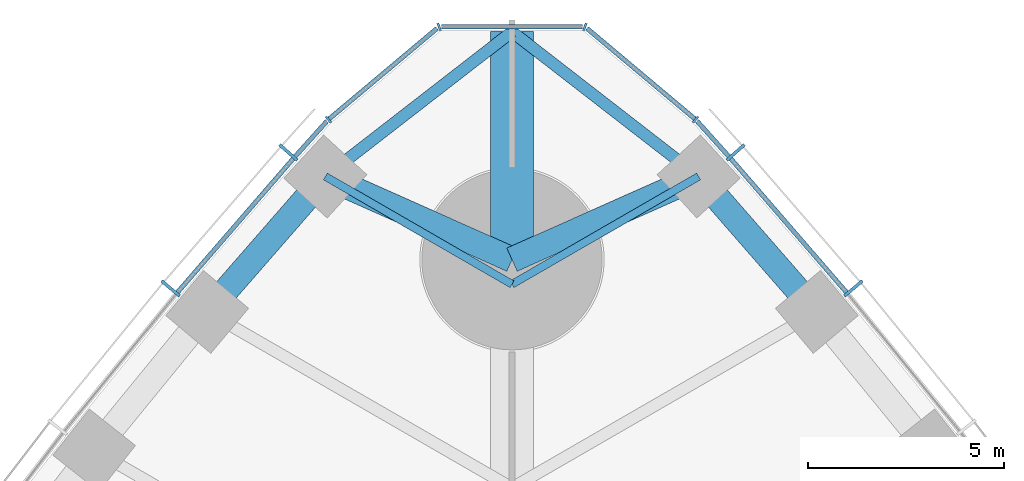
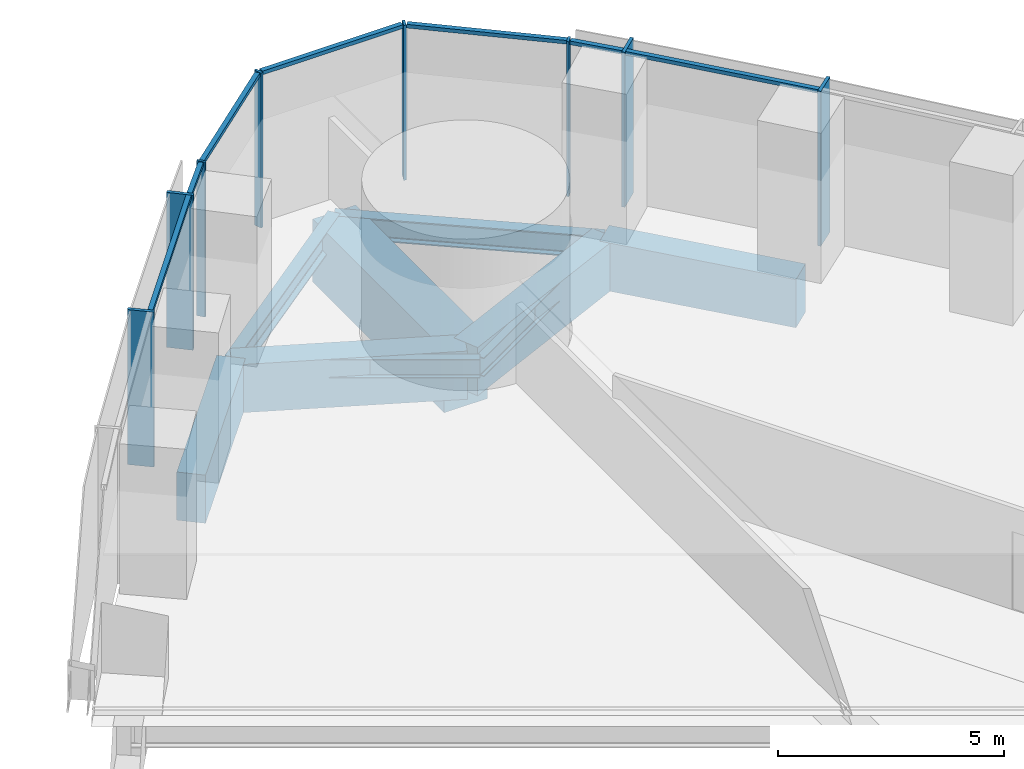
# One storey, part 7 of 18: 15 members, 9 beams, 3 elements without a shape of their own.
"""IFC4 building model written with IfcOpenShell, lengths in metres."""

from ifc_helpers import new_model, si_unit, direction, frame, origin, origin_2d, place, context, subcontext, project, spatial, rectangle, i_section, extrude, material, material_profile, profile_set, type_object, element, aggregate, save


model = new_model("IFC4")

# Units and contexts
model_context = context("Model", 3, precision=1e-05, world=origin(), true_north=direction((0.0, 1.0)))
body_context = subcontext(model_context, "Body", "Model", "MODEL_VIEW")
ifc_project = project(units=[si_unit("LENGTHUNIT", "METRE"), si_unit("AREAUNIT", "SQUARE_METRE"), si_unit("VOLUMEUNIT", "CUBIC_METRE"), si_unit("PLANEANGLEUNIT", "RADIAN"), si_unit("MASSUNIT", "GRAM", prefix="KILO")], contexts=[model_context])

# Site, building, storey
site_placement = place(None, origin())
site = spatial("IfcSite", under=ifc_project, at=site_placement, CompositionType="ELEMENT")
building_placement = place(site_placement, origin())
building = spatial("IfcBuilding", under=site, at=building_placement, Name="Trefoil Bronze Tower", CompositionType="ELEMENT")
storey_placement = place(building_placement, frame((0.0, 0.0, 41.699951171875)))
storey = spatial("IfcBuildingStorey", under=building, at=storey_placement, Name="L09", CompositionType="ELEMENT", Elevation=41.699951171875)

# Curtain wall, members
ifc_material_1 = material(Name="Tinted solar-control glass", Category="glass")
curtain_wall_type_1 = type_object("IfcCurtainWallType", Name="Bronze office curtain wall", PredefinedType="USERDEFINED", material=ifc_material_1)
curtain_wall_1_placement = place(storey_placement, origin())
curtain_wall_1 = element("IfcCurtainWall", 1, at=curtain_wall_1_placement, inside=storey, type_object=curtain_wall_type_1, Name="CW-A L09 F2", ObjectType="CURTAIN WALL", PredefinedType="USERDEFINED")
ifc_material_2 = material(Name="Bronze-finish aluminium", Category="aluminium")
ifc_material_profile_1 = material_profile(ifc_material_2, rectangle(XDim=0.60009765625, YDim=0.080078125, at=origin_2d()), Name="CW-A mullion")
ifc_profile_set_1 = profile_set([ifc_material_profile_1], Name="Bronze-finish aluminium")
member_type_1 = type_object("IfcMemberType", Name="Bronze office curtain wall mullion", PredefinedType="MULLION", material=ifc_profile_set_1)
member_1_placement = place(storey_placement, frame((8.709716796875, 36.265869140625, 0.0), z_axis=(0.0, 0.0, 1.0), x_axis=(-0.765729101889, -0.643163231629, 0.0)))
member_1 = element("IfcMember", 2, at=member_1_placement, type_object=member_type_1, Name="CW-A L09 F2 mullion 15", PredefinedType="MULLION", context=body_context, shape_type="SweptSolid", body=[
    extrude(rectangle(XDim=0.60009765625, YDim=0.080078125, at=origin_2d()), origin(), (0.0, 0.0, 1.0), 4.179931640625),
])
member_2_placement = place(storey_placement, frame((5.70654296875, 39.736328125, 0.0), z_axis=(0.0, 0.0, 1.0), x_axis=(-0.7499405861, -0.661505190698, 0.0)))
member_2 = element("IfcMember", 3, at=member_2_placement, type_object=member_type_1, Name="CW-A L09 F2 mullion 16", PredefinedType="MULLION", context=body_context, shape_type="SweptSolid", body=[
    extrude(rectangle(XDim=0.60009765625, YDim=0.080078125, at=origin_2d()), origin(), (0.0, 0.0, 1.0), 4.179931640625),
])

curtain_wall_2_placement = place(storey_placement, origin())
curtain_wall_2 = element("IfcCurtainWall", 4, at=curtain_wall_2_placement, inside=storey, type_object=curtain_wall_type_1, Name="CW-A L09 F3", ObjectType="CURTAIN WALL", PredefinedType="USERDEFINED")
member_3_placement = place(storey_placement, frame((-5.70654296875, 39.736328125, 0.0), z_axis=(0.0, 0.0, 1.0), x_axis=(0.7499405861, -0.661505190698, 0.0)))
member_3 = element("IfcMember", 5, at=member_3_placement, type_object=member_type_1, Name="CW-A L09 F3 mullion 2", PredefinedType="MULLION", context=body_context, shape_type="SweptSolid", body=[
    extrude(rectangle(XDim=0.60009765625, YDim=0.080078125, at=origin_2d()), origin(), (0.0, 0.0, 1.0), 4.179931640625),
])
member_4_placement = place(storey_placement, frame((-8.709716796875, 36.265869140625, 0.0), z_axis=(0.0, 0.0, 1.0), x_axis=(0.765729101889, -0.643163231629, 0.0)))
member_4 = element("IfcMember", 6, at=member_4_placement, type_object=member_type_1, Name="CW-A L09 F3 mullion 3", PredefinedType="MULLION", context=body_context, shape_type="SweptSolid", body=[
    extrude(rectangle(XDim=0.60009765625, YDim=0.080078125, at=origin_2d()), origin(), (0.0, 0.0, 1.0), 4.179931640625),
])

# Member
ifc_material_3 = material(Name="Bronze-finish aluminium", Category="aluminium")
ifc_material_profile_2 = material_profile(ifc_material_3, rectangle(XDim=0.1201171875, YDim=0.10009765625, at=origin_2d()), Name="CW-A transom")
ifc_profile_set_2 = profile_set([ifc_material_profile_2], Name="Bronze-finish aluminium")
member_type_2 = type_object("IfcMemberType", Name="Bronze office curtain wall transom", PredefinedType="USERDEFINED", material=ifc_profile_set_2)
member_5_placement = place(storey_placement, frame((8.529541015625, 36.16845703125, 4.130126953125), z_axis=(-0.654383303203, 0.75616300656, 0.0), x_axis=(-0.75616300656, -0.654383303203, 0.0)))
member_5 = element("IfcMember", 7, at=member_5_placement, type_object=member_type_2, Name="CW-A L09 F2 transom 15", ObjectType="TRANSOM", PredefinedType="USERDEFINED", context=body_context, shape_type="SweptSolid", body=[
    extrude(rectangle(XDim=0.1201171875, YDim=0.10009765625, at=origin_2d()), origin(), (0.0, 0.0, 1.0), 4.50244140625),
])

member_6_placement = place(storey_placement, frame((5.529052734375, 39.634521484375, 4.130126953125), z_axis=(-0.66858567461, 0.743635122695, 0.0), x_axis=(-0.743635122695, -0.66858567461, 0.0)))
member_6 = element("IfcMember", 8, at=member_6_placement, type_object=member_type_2, Name="CW-A L09 F2 transom 16", ObjectType="TRANSOM", PredefinedType="USERDEFINED", context=body_context, shape_type="SweptSolid", body=[
    extrude(rectangle(XDim=0.1201171875, YDim=0.10009765625, at=origin_2d()), origin(), (0.0, 0.0, 1.0), 1.210205078125),
])

aggregate(curtain_wall_1, [member_1, member_2, member_5, member_6])

member_7_placement = place(storey_placement, frame((-4.719970703125, 40.534423828125, 4.130126953125), z_axis=(-0.66858567461, -0.743635122695, 0.0), x_axis=(0.743635122695, -0.66858567461, 0.0)))
member_7 = element("IfcMember", 9, at=member_7_placement, type_object=member_type_2, Name="CW-A L09 F3 transom 1", ObjectType="TRANSOM", PredefinedType="USERDEFINED", context=body_context, shape_type="SweptSolid", body=[
    extrude(rectangle(XDim=0.1201171875, YDim=0.10009765625, at=origin_2d()), origin(), (0.0, 0.0, 1.0), 1.210205078125),
])

member_8_placement = place(storey_placement, frame((-5.583251953125, 39.572998046875, 4.130126953125), z_axis=(-0.654383303203, -0.75616300656, 0.0), x_axis=(0.75616300656, -0.654383303203, 0.0)))
member_8 = element("IfcMember", 10, at=member_8_placement, type_object=member_type_2, Name="CW-A L09 F3 transom 2", ObjectType="TRANSOM", PredefinedType="USERDEFINED", context=body_context, shape_type="SweptSolid", body=[
    extrude(rectangle(XDim=0.1201171875, YDim=0.10009765625, at=origin_2d()), origin(), (0.0, 0.0, 1.0), 4.50244140625),
])

aggregate(curtain_wall_2, [member_3, member_4, member_7, member_8])

# Curtain wall, members
ifc_material_4 = material(Name="Tinted solar-control glass", Category="glass")
curtain_wall_type_2 = type_object("IfcCurtainWallType", Name="Bronze rounded corner curtain wall", PredefinedType="USERDEFINED", material=ifc_material_4)
curtain_wall_3_placement = place(storey_placement, origin())
curtain_wall_3 = element("IfcCurtainWall", 11, at=curtain_wall_3_placement, inside=storey, type_object=curtain_wall_type_2, Name="CW-B L09 K2", ObjectType="CURTAIN WALL", PredefinedType="USERDEFINED")
ifc_material_5 = material(Name="Bronze-finish aluminium", Category="aluminium")
ifc_material_profile_3 = material_profile(ifc_material_5, rectangle(XDim=0.199951171875, YDim=0.06005859375, at=origin_2d()), Name="CW-B mullion")
ifc_profile_set_3 = profile_set([ifc_material_profile_3], Name="Bronze-finish aluminium")
member_type_3 = type_object("IfcMemberType", Name="Bronze rounded corner curtain wall mullion", PredefinedType="MULLION", material=ifc_profile_set_3)
member_9_placement = place(storey_placement, frame((4.68310546875, 40.573974609375, 0.0), z_axis=(0.0, 0.0, 1.0), x_axis=(-0.642787609687, -0.766044443119, 0.0)))
member_9 = element("IfcMember", 12, at=member_9_placement, type_object=member_type_3, Name="CW-B L09 K2 mullion 1", PredefinedType="MULLION", context=body_context, shape_type="SweptSolid", body=[
    extrude(rectangle(XDim=0.199951171875, YDim=0.06005859375, at=origin_2d()), origin(), (0.0, 0.0, 1.0), 4.179931640625),
])
member_10_placement = place(storey_placement, frame((1.8583984375, 42.9365234375, 0.0), z_axis=(0.0, 0.0, 1.0), x_axis=(-0.342020143326, -0.939692620786, 0.0)))
member_10 = element("IfcMember", 13, at=member_10_placement, type_object=member_type_3, Name="CW-B L09 K2 mullion 2", PredefinedType="MULLION", context=body_context, shape_type="SweptSolid", body=[
    extrude(rectangle(XDim=0.199951171875, YDim=0.06005859375, at=origin_2d()), origin(), (0.0, 0.0, 1.0), 4.179931640625),
])
member_11_placement = place(storey_placement, frame((-1.8583984375, 42.9365234375, 0.0), z_axis=(0.0, 0.0, 1.0), x_axis=(0.342020143326, -0.939692620786, 0.0)))
member_11 = element("IfcMember", 14, at=member_11_placement, type_object=member_type_3, Name="CW-B L09 K2 mullion 3", PredefinedType="MULLION", context=body_context, shape_type="SweptSolid", body=[
    extrude(rectangle(XDim=0.199951171875, YDim=0.06005859375, at=origin_2d()), origin(), (0.0, 0.0, 1.0), 4.179931640625),
])
member_12_placement = place(storey_placement, frame((-4.68310546875, 40.573974609375, 0.0), z_axis=(0.0, 0.0, 1.0), x_axis=(0.642787609687, -0.766044443119, 0.0)))
member_12 = element("IfcMember", 15, at=member_12_placement, type_object=member_type_3, Name="CW-B L09 K2 mullion 4", PredefinedType="MULLION", context=body_context, shape_type="SweptSolid", body=[
    extrude(rectangle(XDim=0.199951171875, YDim=0.06005859375, at=origin_2d()), origin(), (0.0, 0.0, 1.0), 4.179931640625),
])
ifc_material_6 = material(Name="Bronze-finish aluminium", Category="aluminium")
ifc_material_profile_4 = material_profile(ifc_material_6, rectangle(XDim=0.1201171875, YDim=0.10009765625, at=origin_2d()), Name="CW-B transom")
ifc_profile_set_4 = profile_set([ifc_material_profile_4], Name="Bronze-finish aluminium")
member_type_4 = type_object("IfcMemberType", Name="Bronze rounded corner curtain wall transom", PredefinedType="USERDEFINED", material=ifc_profile_set_4)
member_13_placement = place(storey_placement, frame((4.66015625, 40.59326171875, 4.130126953125), z_axis=(-0.766058606238, 0.642770730361, 0.0), x_axis=(-0.642770730361, -0.766058606238, 0.0)))
member_13 = element("IfcMember", 16, at=member_13_placement, type_object=member_type_4, Name="CW-B L09 K2 transom 1", ObjectType="TRANSOM", PredefinedType="USERDEFINED", context=body_context, shape_type="SweptSolid", body=[
    extrude(rectangle(XDim=0.1201171875, YDim=0.10009765625, at=origin_2d()), origin(), (0.0, 0.0, 1.0), 3.588134765625),
])
member_14_placement = place(storey_placement, frame((1.794189453125, 42.9423828125, 4.130126953125), z_axis=(-1.0, 0.0, 0.0), x_axis=(0.0, -1.0, 0.0)))
member_14 = element("IfcMember", 17, at=member_14_placement, type_object=member_type_4, Name="CW-B L09 K2 transom 2", ObjectType="TRANSOM", PredefinedType="USERDEFINED", context=body_context, shape_type="SweptSolid", body=[
    extrude(rectangle(XDim=0.1201171875, YDim=0.10009765625, at=origin_2d()), origin(), (0.0, 0.0, 1.0), 3.58837890625),
])
member_15_placement = place(storey_placement, frame((-1.911376953125, 42.899658203125, 4.130126953125), z_axis=(-0.766058606238, -0.642770730361, 0.0), x_axis=(0.642770730361, -0.766058606238, 0.0)))
member_15 = element("IfcMember", 18, at=member_15_placement, type_object=member_type_4, Name="CW-B L09 K2 transom 3", ObjectType="TRANSOM", PredefinedType="USERDEFINED", context=body_context, shape_type="SweptSolid", body=[
    extrude(rectangle(XDim=0.1201171875, YDim=0.10009765625, at=origin_2d()), origin(), (0.0, 0.0, 1.0), 3.588134765625),
])
aggregate(curtain_wall_3, [member_9, member_10, member_11, member_12, member_13, member_14, member_15])

# Beams
ifc_material_7 = material(Name="Concrete B80", Category="concrete")
ifc_material_profile_5 = material_profile(ifc_material_7, rectangle(XDim=1.10009765625, YDim=1.699951171875, at=origin_2d()), Name="RC 1100x1700")
ifc_profile_set_5 = profile_set([ifc_material_profile_5], Name="Concrete B80")
beam_type_1 = type_object("IfcBeamType", Name="Corner cantilever RC 1100x1700", PredefinedType="BEAM", material=ifc_profile_set_5)
beam_placement = place(storey_placement, frame((0.0, 37.0, -1.050048828125), z_axis=(0.0, 1.0, 0.0), x_axis=(-1.0, 0.0, 0.0)))
element("IfcBeam", 19, at=beam_placement, inside=storey, type_object=beam_type_1, Name="Corner cantilever K2 L09", PredefinedType="BEAM", context=body_context, shape_type="SweptSolid", body=[
    extrude(rectangle(XDim=1.10009765625, YDim=1.699951171875, at=origin_2d()), origin(), (0.0, 0.0, 1.0), 5.814208984375),
])
ifc_material_8 = material(Name="Steel C355", Category="steel")
ifc_material_profile_6 = material_profile(ifc_material_8, i_section(OverallWidth=0.300048828125, OverallDepth=0.60009765625, WebThickness=0.015380859375, FlangeThickness=0.030029296875, FilletRadius=0.027099609375, at=origin_2d()), Name="HEB 600")
ifc_profile_set_6 = profile_set([ifc_material_profile_6], Name="Steel C355")
beam_type_2 = type_object("IfcBeamType", Name="Corner edge beam HEB 600", PredefinedType="BEAM", material=ifc_profile_set_6)
for number, where, z_axis, x_axis, name in (
    (20, (4.76171875, 39.122314453125, -0.5), (-0.790289474622, 0.612733666696, 0.0), (-0.612733666696, -0.790289474622, 0.0), "Corner edge beam F2A L09"),
    (21, (-4.76171875, 39.122314453125, -0.5), (0.790289474622, 0.612733666696, 0.0), (-0.612733666696, 0.790289474622, 0.0), "Corner edge beam F3B L09"),
):
    element("IfcBeam", number, at=place(storey_placement, frame(where, z_axis=z_axis, x_axis=x_axis)), inside=storey, type_object=beam_type_2, Name=name, PredefinedType="BEAM", context=body_context, shape_type="SweptSolid", body=[
        extrude(i_section(OverallWidth=0.300048828125, OverallDepth=0.60009765625, WebThickness=0.015380859375, FlangeThickness=0.030029296875, FilletRadius=0.027099609375, at=origin_2d()), origin(), (0.0, 0.0, 1.0), 6.025390625),
    ])
ifc_material_9 = material(Name="Concrete B80", Category="concrete")
ifc_material_profile_7 = material_profile(ifc_material_9, rectangle(XDim=0.64990234375, YDim=1.300048828125, at=origin_2d()), Name="RC 650x1300")
ifc_profile_set_7 = profile_set([ifc_material_profile_7], Name="Concrete B80")
beam_type_3 = type_object("IfcBeamType", Name="End spandrel beam RC 650x1300", PredefinedType="SPANDREL", material=ifc_profile_set_7)
for number, where, z_axis, x_axis, name in (
    (22, (4.76171875, 39.122314453125, -0.849853515625), (-0.913384257879, -0.407098510754, 0.0), (0.407098510754, -0.913384257879, 0.0), "Spandrel F2.16 L09"),
    (23, (0.0, 37.0, -0.849853515625), (-0.913384257879, 0.407098510754, 0.0), (-0.407098510754, -0.913384257879, 0.0), "Spandrel F3.1 L09"),
):
    element("IfcBeam", number, at=place(storey_placement, frame(where, z_axis=z_axis, x_axis=x_axis)), inside=storey, type_object=beam_type_3, Name=name, PredefinedType="SPANDREL", context=body_context, shape_type="SweptSolid", body=[
        extrude(rectangle(XDim=0.64990234375, YDim=1.300048828125, at=origin_2d()), origin(), (0.0, 0.0, 1.0), 5.21337890625),
    ])
ifc_material_10 = material(Name="Steel C355", Category="steel")
ifc_material_profile_8 = material_profile(ifc_material_10, i_section(OverallWidth=0.199951171875, OverallDepth=0.5, WebThickness=0.01025390625, FlangeThickness=0.01611328125, FilletRadius=0.02099609375, at=origin_2d()), Name="IPE 500")
ifc_profile_set_8 = profile_set([ifc_material_profile_8], Name="Steel C355")
beam_type_4 = type_object("IfcBeamType", Name="Floor beam IPE 500", PredefinedType="BEAM", material=ifc_profile_set_8)
for number, where, z_axis, x_axis, name in (
    (24, (4.76171875, 39.122314453125, -0.449951171875), (-0.866018475376, -0.500012000164, 0.0), (0.500012000164, -0.866018475376, 0.0), "Floor beam F2/+7 L09"),
    (25, (-4.76171875, 39.122314453125, -0.449951171875), (0.866018475376, -0.500012000164, 0.0), (0.500012000164, 0.866018475376, 0.0), "Floor beam F3/-7 L09"),
):
    element("IfcBeam", number, at=place(storey_placement, frame(where, z_axis=z_axis, x_axis=x_axis)), inside=storey, type_object=beam_type_4, Name=name, PredefinedType="BEAM", context=body_context, shape_type="SweptSolid", body=[
        extrude(i_section(OverallWidth=0.199951171875, OverallDepth=0.5, WebThickness=0.01025390625, FlangeThickness=0.01611328125, FilletRadius=0.02099609375, at=origin_2d()), origin(), (0.0, 0.0, 1.0), 5.498291015625),
    ])
ifc_material_11 = material(Name="Concrete B80", Category="concrete")
ifc_material_profile_9 = material_profile(ifc_material_11, rectangle(XDim=0.64990234375, YDim=1.300048828125, at=origin_2d()), Name="RC 650x1300")
ifc_profile_set_9 = profile_set([ifc_material_profile_9], Name="Concrete B80")
beam_type_5 = type_object("IfcBeamType", Name="Spandrel beam RC 650x1300", PredefinedType="SPANDREL", material=ifc_profile_set_9)
for number, where, z_axis, x_axis, name in (
    (26, (7.7763671875, 35.666748046875, -0.849853515625), (-0.657395767989, 0.753545489158, 0.0), (-0.753545489158, -0.657395767989, 0.0), "Spandrel F2.15 L09"),
    (27, (-4.76171875, 39.122314453125, -0.849853515625), (-0.657395767989, -0.753545489158, 0.0), (0.753545489158, -0.657395767989, 0.0), "Spandrel F3.2 L09"),
):
    element("IfcBeam", number, at=place(storey_placement, frame(where, z_axis=z_axis, x_axis=x_axis)), inside=storey, type_object=beam_type_5, Name=name, PredefinedType="SPANDREL", context=body_context, shape_type="SweptSolid", body=[
        extrude(rectangle(XDim=0.64990234375, YDim=1.300048828125, at=origin_2d()), origin(), (0.0, 0.0, 1.0), 4.585693359375),
    ])

save(model, "model.ifc")
